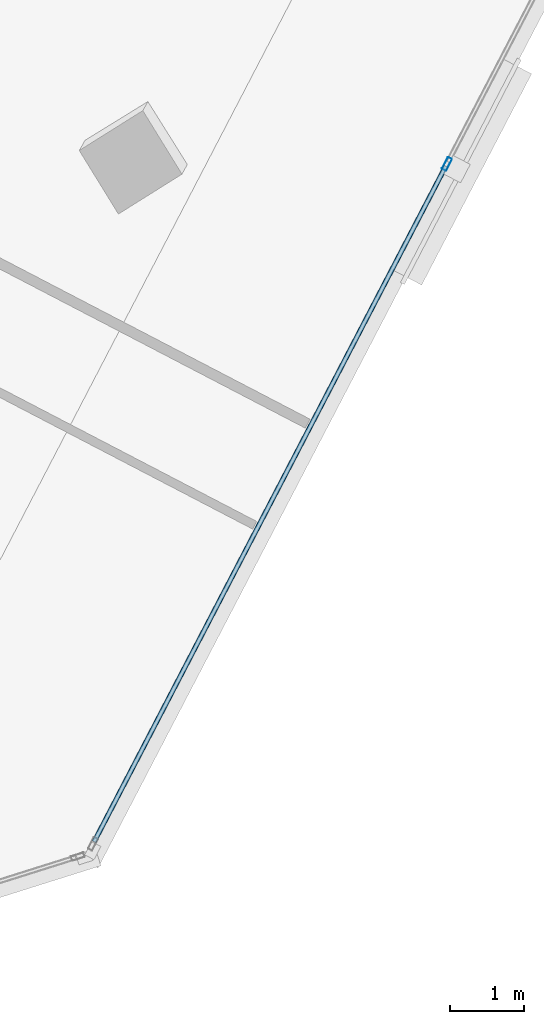
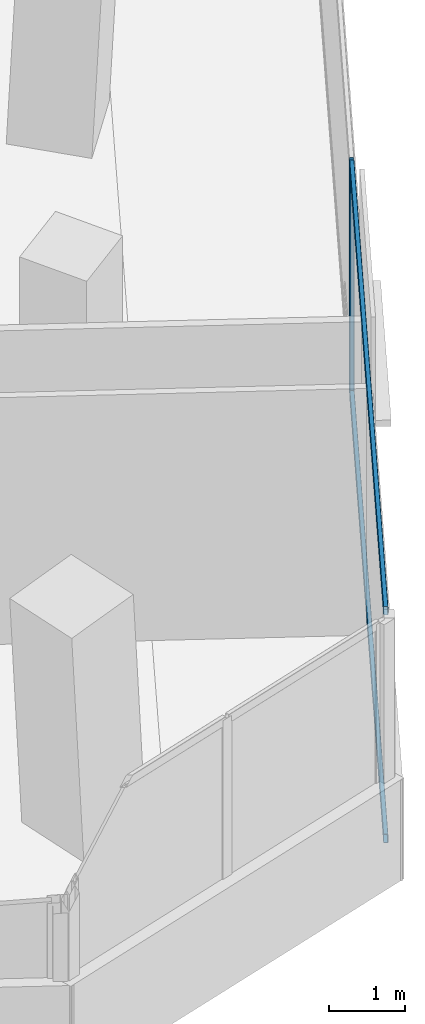
# One storey, part 8 of 22: 3 members, 1 element without a shape of its own.
"""IFC4 building model written with IfcOpenShell, lengths in metres."""

from ifc_helpers import new_model, si_unit, direction, frame, origin, origin_2d, place, context, subcontext, project, spatial, hollow_rectangle, extrude, source, transform, mapped, material, material_profile, profile_set, type_object, element, aggregate, save


model = new_model("IFC4")

# Units and contexts
model_context = context("Model", 3, precision=1e-05, world=origin(), true_north=direction((0.0, 1.0)))
body_context = subcontext(model_context, "Body", "Model", "MODEL_VIEW")
ifc_project = project(units=[si_unit("LENGTHUNIT", "METRE"), si_unit("AREAUNIT", "SQUARE_METRE"), si_unit("VOLUMEUNIT", "CUBIC_METRE"), si_unit("PLANEANGLEUNIT", "RADIAN"), si_unit("MASSUNIT", "GRAM", prefix="KILO")], contexts=[model_context])

# Site, building, storey
site_placement = place(None, origin())
site = spatial("IfcSite", under=ifc_project, at=site_placement, CompositionType="ELEMENT")
building_placement = place(site_placement, origin())
building = spatial("IfcBuilding", under=site, at=building_placement, Name="Torre Montelarca", CompositionType="ELEMENT")
storey_placement = place(building_placement, frame((0.0, 0.0, 175.0)))
storey = spatial("IfcBuildingStorey", under=building, at=storey_placement, Name="L39", CompositionType="ELEMENT", Elevation=175.0)

# Curtain wall, members
ifc_material_1 = material(Name="Insulated low-E laminated glass", Category="glass")
curtain_wall_type = type_object("IfcCurtainWallType", Name="CW-SYS-Z2", PredefinedType="USERDEFINED", material=ifc_material_1)
curtain_wall_placement = place(storey_placement, origin())
curtain_wall = element("IfcCurtainWall", 1, at=curtain_wall_placement, inside=storey, type_object=curtain_wall_type, Name="L39 Curtain Wall Run CW-T3-L39-E06-B1", ObjectType="UNITISED GLAZING", PredefinedType="USERDEFINED")
ifc_material_2 = material(Name="Anodised aluminium AA 6063-T6", Category="aluminium")
ifc_material_profile_1 = material_profile(ifc_material_2, hollow_rectangle(XDim=0.06494140625, YDim=0.179931640625, WallThickness=0.00390625, InnerFilletRadius=0.00390625, OuterFilletRadius=0.008056640625, at=origin_2d()), Name="ALU65X180X4", Category="aluminium")
ifc_profile_set_1 = profile_set([ifc_material_profile_1], Name="Anodised aluminium AA 6063-T6")
member_type_1 = type_object("IfcMemberType", Name="CWM-ALU180", PredefinedType="MULLION", material=ifc_profile_set_1)
shared_shape_1 = source(origin(), body_context, "Body", "SweptSolid", [
    extrude(hollow_rectangle(XDim=0.06494140625, YDim=0.179931640625, WallThickness=0.00390625, InnerFilletRadius=0.00390625, OuterFilletRadius=0.008056640625, at=origin_2d()), origin(), (0.0, 0.0, 1.0), 3.719970703125),
])
member_1_placement = place(storey_placement, frame((48.904052734375, 19.08740234375, 0.0), z_axis=(0.0, 0.0, 1.0), x_axis=(-0.887014000849, 0.461742528145, 0.0)))
member_1 = element("IfcMember", 2, at=member_1_placement, type_object=member_type_1, Name="CW mullion 2", PredefinedType="MULLION", context=body_context, shape_type="MappedRepresentation", body=[
    mapped(shared_shape_1, transform((0.0, 0.0, 0.0), scale=1.0)),
])
ifc_material_profile_2 = material_profile(ifc_material_2, hollow_rectangle(XDim=0.06494140625, YDim=0.139892578125, WallThickness=0.00390625, InnerFilletRadius=0.00390625, OuterFilletRadius=0.008056640625, at=origin_2d()), Name="ALU65X140X4", Category="aluminium")
ifc_profile_set_2 = profile_set([ifc_material_profile_2], Name="Anodised aluminium AA 6063-T6")
member_type_2 = type_object("IfcMemberType", Name="CWT-ALU140", PredefinedType="USERDEFINED", material=ifc_profile_set_2)
shared_shape_2 = source(origin(), body_context, "Body", "SweptSolid", [
    extrude(hollow_rectangle(XDim=0.06494140625, YDim=0.139892578125, WallThickness=0.00390625, InnerFilletRadius=0.00390625, OuterFilletRadius=0.008056640625, at=origin_2d()), origin(), (0.0, 0.0, 1.0), 10.237060546875),
])
member_2_placement = place(storey_placement, frame((44.162109375, 9.978271484375, 0.032470703125), z_axis=(0.461740163531, 0.887015231765, 0.0), x_axis=(-0.887015231765, 0.461740163531, 0.0)))
member_2 = element("IfcMember", 3, at=member_2_placement, type_object=member_type_2, Name="CW transom 1.1", ObjectType="TRANSOM", PredefinedType="USERDEFINED", context=body_context, shape_type="MappedRepresentation", body=[
    mapped(shared_shape_2, transform((0.0, 0.0, 0.0), scale=1.0)),
])
member_3_placement = place(storey_placement, frame((44.162109375, 9.978271484375, 3.6875), z_axis=(0.461740163531, 0.887015231765, 0.0), x_axis=(-0.887015231765, 0.461740163531, 0.0)))
member_3 = element("IfcMember", 4, at=member_3_placement, type_object=member_type_2, Name="CW transom 1.2", ObjectType="TRANSOM", PredefinedType="USERDEFINED", context=body_context, shape_type="MappedRepresentation", body=[
    mapped(shared_shape_2, transform((0.0, 0.0, 0.0), scale=1.0)),
])
aggregate(curtain_wall, [member_1, member_2, member_3])

save(model, "model.ifc")
